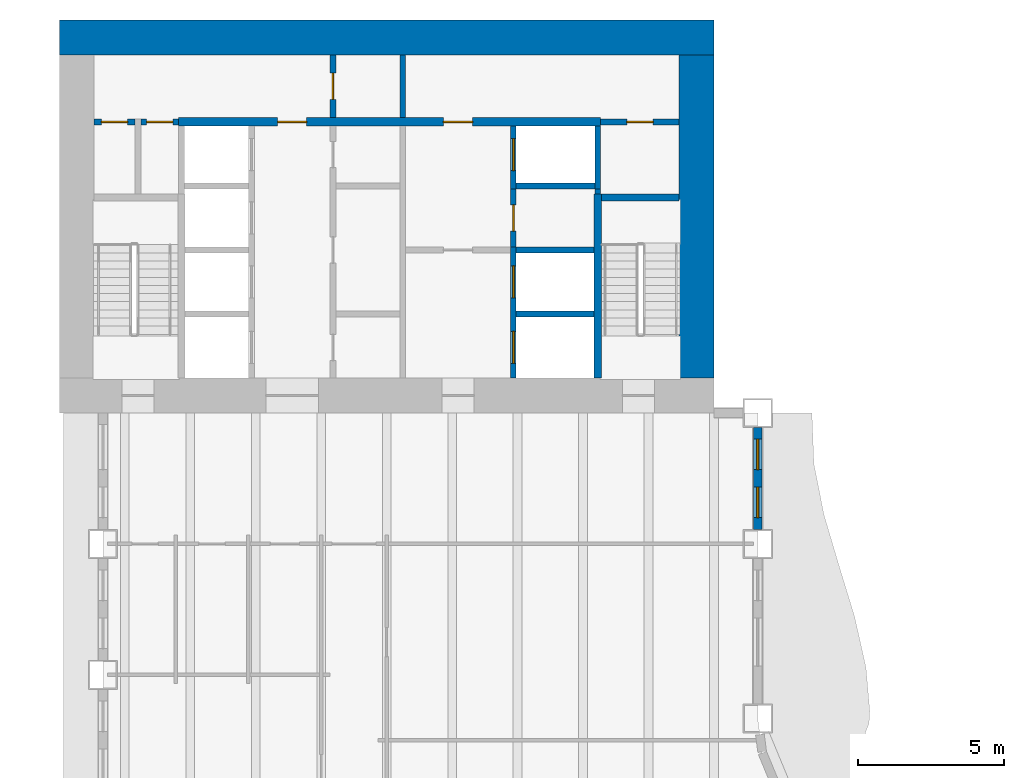
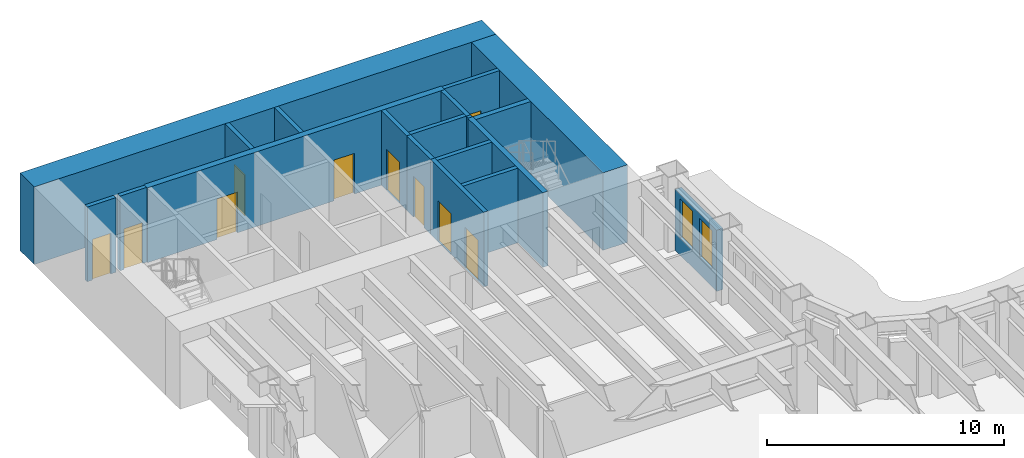
# One storey, part 9 of 16: 19 walls, 10 doors, 2 windows, 12 openings.
"""IFC4 building model written with IfcOpenShell, lengths in metres."""

from ifc_helpers import new_model, si_unit, direction, frame, frame_2d, origin, place, context, subcontext, project, spatial, rectangle, extrude, material, layer, layer_set, type_object, element, fill, save


model = new_model("IFC4")

# Units and contexts
model_context = context("Model", 3, precision=1e-05, world=origin(), true_north=direction((0.0, 1.0)))
body_context = subcontext(model_context, "Body", "Model", "MODEL_VIEW")
ifc_project = project(units=[si_unit("LENGTHUNIT", "METRE"), si_unit("AREAUNIT", "SQUARE_METRE"), si_unit("VOLUMEUNIT", "CUBIC_METRE"), si_unit("PLANEANGLEUNIT", "RADIAN"), si_unit("MASSUNIT", "GRAM", prefix="KILO")], contexts=[model_context])

# Site, building, storey
site_placement = place(None, origin())
site = spatial("IfcSite", under=ifc_project, at=site_placement, CompositionType="ELEMENT")
building_placement = place(site_placement, origin())
building = spatial("IfcBuilding", under=site, at=building_placement, Name="Sennacour Bend Tower", CompositionType="ELEMENT")
storey_placement = place(building_placement, frame((0.0, 0.0, 103.0)))
storey = spatial("IfcBuildingStorey", under=building, at=storey_placement, Name="L23", CompositionType="ELEMENT", Elevation=103.0)

# Walls
ifc_material_1 = material(Name="Concrete C80/95", Category="concrete")
ifc_layer_1 = layer(ifc_material_1, 1.199951171875, Name="Concrete C80/95", Category="concrete")
ifc_layer_set_1 = layer_set([ifc_layer_1], Name="Concrete C80/95")
wall_type_1 = type_object("IfcWallType", Name="Core wall 1200 C80/95", PredefinedType="SHEAR", material=ifc_layer_set_1)
wall_1_placement = place(storey_placement, frame((0.0, 48.89990234375, -0.14990234375), z_axis=(0.0, 0.0, 1.0), x_axis=(1.0, 0.0, 0.0)))
element("IfcWall", 1, at=wall_1_placement, inside=storey, type_object=wall_type_1, Name="Core B wall L23 N", PredefinedType="SHEAR", context=body_context, shape_type="SweptSolid", body=[
    extrude(rectangle(XDim=22.5, YDim=1.199951171875, at=frame_2d((11.25, 0.0))), origin(), (0.0, 0.0, 1.0), 4.0),
])
wall_2_placement = place(storey_placement, frame((21.89990234375, 37.199951171875, -0.14990234375), z_axis=(0.0, 0.0, 1.0), x_axis=(0.0, 1.0, 0.0)))
element("IfcWall", 2, at=wall_2_placement, inside=storey, type_object=wall_type_1, Name="Core B wall L23 E", PredefinedType="SHEAR", context=body_context, shape_type="SweptSolid", body=[
    extrude(rectangle(XDim=11.10009765625, YDim=1.199951171875, at=frame_2d((5.550048828125, 0.0))), origin(), (0.0, 0.0, 1.0), 4.0),
])

# Wall, opening, door
ifc_material_2 = material(Name="Fire-rated plasterboard partition on steel studs", Category="steel")
ifc_layer_2 = layer(ifc_material_2, 0.199951171875, Name="Fire-rated plasterboard partition on steel studs", Category="steel")
ifc_layer_set_2 = layer_set([ifc_layer_2], Name="Fire-rated plasterboard partition on steel studs")
wall_type_2 = type_object("IfcWallType", Name="Rated partition 200", PredefinedType="PARTITIONING", material=ifc_layer_set_2)
wall_3_placement = place(storey_placement, frame((9.39990234375, 46.14990234375, 0.0), z_axis=(0.0, 0.0, 1.0), x_axis=(0.0, 1.0, 0.0)))
wall_3 = element("IfcWall", 3, at=wall_3_placement, inside=storey, type_object=wall_type_2, Name="P-L23-W012b", PredefinedType="PARTITIONING", context=body_context, shape_type="SweptSolid", body=[
    extrude(rectangle(XDim=2.150146484375, YDim=0.199951171875, at=frame_2d((1.0751953125, 0.0))), origin(), (0.0, 0.0, 1.0), 3.85009765625),
])
opening_1_placement = place(wall_3_placement, frame((0.625, 0.0, 0.0)))
opening_1 = element("IfcOpeningElement", 4, at=opening_1_placement, cuts=wall_3, Name="Opening SV", PredefinedType="OPENING", context=body_context, shape_type="SweptSolid", body=[
    extrude(rectangle(XDim=0.89990234375, YDim=2.10009765625, at=frame_2d((0.449951171875, 1.050048828125))), frame((0.0, 0.10986328125, 0.0), z_axis=(0.0, -1.0, 0.0), x_axis=(1.0, 0.0, 0.0)), (0.0, 0.0, 1.0), 0.219970703125),
])
ifc_material_3 = material(Name="Painted steel", Category="steel")
door_type_1 = type_object("IfcDoorType", Name="DR-SERVICE-900", OperationType="NOTDEFINED", PredefinedType="DOOR", material=ifc_material_3)
door_1_placement = place(opening_1_placement, origin())
door_1 = element("IfcDoor", 5, at=door_1_placement, inside=storey, type_object=door_type_1, Name="Door", OperationType="SINGLE_SWING_LEFT", OverallHeight=2.10009765625, OverallWidth=0.89990234375, PredefinedType="DOOR", context=body_context, shape_type="SweptSolid", body=[
    extrude(rectangle(XDim=0.89990234375, YDim=2.10009765625, at=frame_2d((0.449951171875, 1.050048828125))), frame((0.0, 0.02490234375, 0.0), z_axis=(0.0, -1.0, 0.0), x_axis=(1.0, 0.0, 0.0)), (0.0, 0.0, 1.0), 0.050048828125),
])
fill(opening_1, door_1)

# Wall
wall_4_placement = place(storey_placement, frame((11.800048828125, 46.14990234375, 0.0), z_axis=(0.0, 0.0, 1.0), x_axis=(0.0, 1.0, 0.0)))
element("IfcWall", 6, at=wall_4_placement, inside=storey, type_object=wall_type_2, Name="P-L23-W014b", PredefinedType="PARTITIONING", context=body_context, shape_type="SweptSolid", body=[
    extrude(rectangle(XDim=2.150146484375, YDim=0.199951171875, at=frame_2d((1.0751953125, 0.0))), origin(), (0.0, 0.0, 1.0), 3.85009765625),
])

# Wall, opening, door
wall_5_placement = place(storey_placement, frame((15.60009765625, 41.699951171875, 0.0), z_axis=(0.0, 0.0, 1.0), x_axis=(0.0, 1.0, 0.0)))
wall_5 = element("IfcWall", 7, at=wall_5_placement, inside=storey, type_object=wall_type_2, Name="P-L23-W017", PredefinedType="PARTITIONING", context=body_context, shape_type="SweptSolid", body=[
    extrude(rectangle(XDim=2.0, YDim=0.199951171875, at=frame_2d((1.0, 0.0))), origin(), (0.0, 0.0, 1.0), 3.85009765625),
])
opening_2_placement = place(wall_5_placement, frame((0.550048828125, 0.0, 0.0)))
opening_2 = element("IfcOpeningElement", 8, at=opening_2_placement, cuts=wall_5, Name="Opening SV", PredefinedType="OPENING", context=body_context, shape_type="SweptSolid", body=[
    extrude(rectangle(XDim=0.89990234375, YDim=2.10009765625, at=frame_2d((0.449951171875, 1.050048828125))), frame((0.0, 0.10986328125, 0.0), z_axis=(0.0, -1.0, 0.0), x_axis=(1.0, 0.0, 0.0)), (0.0, 0.0, 1.0), 0.219970703125),
])
door_2_placement = place(opening_2_placement, origin())
door_2 = element("IfcDoor", 9, at=door_2_placement, inside=storey, type_object=door_type_1, Name="Door", OperationType="SINGLE_SWING_RIGHT", OverallHeight=2.10009765625, OverallWidth=0.89990234375, PredefinedType="DOOR", context=body_context, shape_type="SweptSolid", body=[
    extrude(rectangle(XDim=0.89990234375, YDim=2.10009765625, at=frame_2d((0.449951171875, 1.050048828125))), frame((0.0, 0.02490234375, 0.0), z_axis=(0.0, -1.0, 0.0), x_axis=(1.0, 0.0, 0.0)), (0.0, 0.0, 1.0), 0.050048828125),
])
fill(opening_2, door_2)

# Wall
wall_6_placement = place(storey_placement, frame((18.5, 43.52490234375, 0.0), z_axis=(0.0, 0.0, 1.0), x_axis=(0.0, 1.0, 0.0)))
element("IfcWall", 10, at=wall_6_placement, inside=storey, type_object=wall_type_2, Name="P-L23-W021", PredefinedType="PARTITIONING", context=body_context, shape_type="SweptSolid", body=[
    extrude(rectangle(XDim=0.175048828125, YDim=0.199951171875, at=frame_2d((0.08740234375, 0.0))), origin(), (0.0, 0.0, 1.0), 3.85009765625),
])

# Wall, opening, door
wall_7_placement = place(storey_placement, frame((1.199951171875, 46.0, 0.0), z_axis=(0.0, 0.0, 1.0), x_axis=(1.0, 0.0, 0.0)))
wall_7 = element("IfcWall", 11, at=wall_7_placement, inside=storey, type_object=wall_type_2, Name="P-L23-W089a", PredefinedType="PARTITIONING", context=body_context, shape_type="SweptSolid", body=[
    extrude(rectangle(XDim=1.400146484375, YDim=0.199951171875, at=frame_2d((0.7001953125, 0.0))), origin(), (0.0, 0.0, 1.0), 3.85009765625),
])
opening_3_placement = place(wall_7_placement, frame((0.25, 0.0, 0.0)))
opening_3 = element("IfcOpeningElement", 12, at=opening_3_placement, cuts=wall_7, Name="Opening SV", PredefinedType="OPENING", context=body_context, shape_type="SweptSolid", body=[
    extrude(rectangle(XDim=0.89990234375, YDim=2.10009765625, at=frame_2d((0.449951171875, 1.050048828125))), frame((0.0, 0.10986328125, 0.0), z_axis=(0.0, -1.0, 0.0), x_axis=(1.0, 0.0, 0.0)), (0.0, 0.0, 1.0), 0.219970703125),
])
door_3_placement = place(opening_3_placement, origin())
door_3 = element("IfcDoor", 13, at=door_3_placement, inside=storey, type_object=door_type_1, Name="Door", OperationType="SINGLE_SWING_LEFT", OverallHeight=2.10009765625, OverallWidth=0.89990234375, PredefinedType="DOOR", context=body_context, shape_type="SweptSolid", body=[
    extrude(rectangle(XDim=0.89990234375, YDim=2.10009765625, at=frame_2d((0.449951171875, 1.050048828125))), frame((0.0, 0.02490234375, 0.0), z_axis=(0.0, -1.0, 0.0), x_axis=(1.0, 0.0, 0.0)), (0.0, 0.0, 1.0), 0.050048828125),
])
fill(opening_3, door_3)

wall_8_placement = place(storey_placement, frame((2.800048828125, 46.0, 0.0), z_axis=(0.0, 0.0, 1.0), x_axis=(1.0, 0.0, 0.0)))
wall_8 = element("IfcWall", 14, at=wall_8_placement, inside=storey, type_object=wall_type_2, Name="P-L23-W089b", PredefinedType="PARTITIONING", context=body_context, shape_type="SweptSolid", body=[
    extrude(rectangle(XDim=1.300048828125, YDim=0.199951171875, at=frame_2d((0.64990234375, 0.0))), origin(), (0.0, 0.0, 1.0), 3.85009765625),
])
opening_4_placement = place(wall_8_placement, frame((0.199951171875, 0.0, 0.0)))
opening_4 = element("IfcOpeningElement", 15, at=opening_4_placement, cuts=wall_8, Name="Opening SV", PredefinedType="OPENING", context=body_context, shape_type="SweptSolid", body=[
    extrude(rectangle(XDim=0.89990234375, YDim=2.10009765625, at=frame_2d((0.449951171875, 1.050048828125))), frame((0.0, 0.10986328125, 0.0), z_axis=(0.0, -1.0, 0.0), x_axis=(1.0, 0.0, 0.0)), (0.0, 0.0, 1.0), 0.219970703125),
])
door_4_placement = place(opening_4_placement, origin())
door_4 = element("IfcDoor", 16, at=door_4_placement, inside=storey, type_object=door_type_1, Name="Door", OperationType="SINGLE_SWING_LEFT", OverallHeight=2.10009765625, OverallWidth=0.89990234375, PredefinedType="DOOR", context=body_context, shape_type="SweptSolid", body=[
    extrude(rectangle(XDim=0.89990234375, YDim=2.10009765625, at=frame_2d((0.449951171875, 1.050048828125))), frame((0.0, 0.02490234375, 0.0), z_axis=(0.0, -1.0, 0.0), x_axis=(1.0, 0.0, 0.0)), (0.0, 0.0, 1.0), 0.050048828125),
])
fill(opening_4, door_4)

wall_9_placement = place(storey_placement, frame((18.60009765625, 46.0, 0.0), z_axis=(0.0, 0.0, 1.0), x_axis=(1.0, 0.0, 0.0)))
wall_9 = element("IfcWall", 17, at=wall_9_placement, inside=storey, type_object=wall_type_2, Name="P-L23-W091", PredefinedType="PARTITIONING", context=body_context, shape_type="SweptSolid", body=[
    extrude(rectangle(XDim=2.699951171875, YDim=0.199951171875, at=frame_2d((1.35009765625, 0.0))), origin(), (0.0, 0.0, 1.0), 3.85009765625),
])
opening_5_placement = place(wall_9_placement, frame((0.89990234375, 0.0, 0.0)))
opening_5 = element("IfcOpeningElement", 18, at=opening_5_placement, cuts=wall_9, Name="Opening WD", PredefinedType="OPENING", context=body_context, shape_type="SweptSolid", body=[
    extrude(rectangle(XDim=0.89990234375, YDim=2.10009765625, at=frame_2d((0.449951171875, 1.050048828125))), frame((0.0, 0.10986328125, 0.0), z_axis=(0.0, -1.0, 0.0), x_axis=(1.0, 0.0, 0.0)), (0.0, 0.0, 1.0), 0.219970703125),
])
ifc_material_4 = material(Name="Timber", Category="wood")
door_type_2 = type_object("IfcDoorType", Name="DR-WC-900", OperationType="NOTDEFINED", PredefinedType="DOOR", material=ifc_material_4)
door_5_placement = place(opening_5_placement, origin())
door_5 = element("IfcDoor", 19, at=door_5_placement, inside=storey, type_object=door_type_2, Name="Door", OperationType="SINGLE_SWING_LEFT", OverallHeight=2.10009765625, OverallWidth=0.89990234375, PredefinedType="DOOR", context=body_context, shape_type="SweptSolid", body=[
    extrude(rectangle(XDim=0.89990234375, YDim=2.10009765625, at=frame_2d((0.449951171875, 1.050048828125))), frame((0.0, 0.02490234375, 0.0), z_axis=(0.0, -1.0, 0.0), x_axis=(1.0, 0.0, 0.0)), (0.0, 0.0, 1.0), 0.050048828125),
])
fill(opening_5, door_5)

# Wall, openings, windows
ifc_material_5 = material(Name="Warm limestone cladding", Category="masonry")
ifc_layer_3 = layer(ifc_material_5, 0.050048828125, Name="Warm limestone cladding", Category="masonry")
ifc_material_6 = material(Name="Precast concrete C40/50", Category="concrete")
ifc_layer_4 = layer(ifc_material_6, 0.25, Name="Precast concrete C40/50", Category="concrete")
ifc_layer_set_3 = layer_set([ifc_layer_3, ifc_layer_4], Name="Precast concrete C40/50 with limestone cladding")
wall_type_3 = type_object("IfcWallType", Name="STONE-CLAD PRECAST SPANDREL 300", PredefinedType="STANDARD", material=ifc_layer_set_3)
wall_10_placement = place(storey_placement, frame((24.0, 32.0, 0.0), z_axis=(0.0, 0.0, 1.0), x_axis=(0.0, 1.0, 0.0)))
wall_10 = element("IfcWall", 20, at=wall_10_placement, inside=storey, type_object=wall_type_3, Name="Stone spandrel and pier wall L23 13.01", PredefinedType="STANDARD", context=body_context, shape_type="SweptSolid", body=[
    extrude(rectangle(XDim=3.5, YDim=0.300048828125, at=frame_2d((1.75, 0.0))), origin(), (0.0, 0.0, 1.0), 3.154052734375),
])
opening_6_placement = place(wall_10_placement, frame((0.39990234375, 0.0, 0.89990234375)))
opening_6 = element("IfcOpeningElement", 21, at=opening_6_placement, cuts=wall_10, Name="Opening W13", PredefinedType="OPENING", context=body_context, shape_type="SweptSolid", body=[
    extrude(rectangle(XDim=1.050048828125, YDim=2.0, at=frame_2d((0.52490234375, 1.0))), frame((0.0, 0.16015625, 0.0), z_axis=(0.0, -1.0, 0.0), x_axis=(1.0, 0.0, 0.0)), (0.0, 0.0, 1.0), 0.320068359375),
])
opening_7_placement = place(wall_10_placement, frame((2.050048828125, 0.0, 0.89990234375)))
opening_7 = element("IfcOpeningElement", 22, at=opening_7_placement, cuts=wall_10, Name="Opening W13", PredefinedType="OPENING", context=body_context, shape_type="SweptSolid", body=[
    extrude(rectangle(XDim=1.050048828125, YDim=2.0, at=frame_2d((0.52490234375, 1.0))), frame((0.0, 0.16015625, 0.0), z_axis=(0.0, -1.0, 0.0), x_axis=(1.0, 0.0, 0.0)), (0.0, 0.0, 1.0), 0.320068359375),
])
ifc_material_7 = material(Name="Clear low-emissivity glass", Category="glass")
window_type = type_object("IfcWindowType", Name="WIN-RIBBON-1050x2000", PartitioningType="SINGLE_PANEL", PredefinedType="WINDOW", material=ifc_material_7)
window_1_placement = place(opening_6_placement, origin())
window_1 = element("IfcWindow", 23, at=window_1_placement, inside=storey, type_object=window_type, Name="Ribbon window L23 13.01.0", OverallHeight=2.0, OverallWidth=1.050048828125, PartitioningType="SINGLE_PANEL", PredefinedType="WINDOW", context=body_context, shape_type="SweptSolid", body=[
    extrude(rectangle(XDim=1.050048828125, YDim=2.0, at=frame_2d((0.52490234375, 1.0))), frame((0.0, 0.030029296875, 0.0), z_axis=(0.0, -1.0, 0.0), x_axis=(1.0, 0.0, 0.0)), (0.0, 0.0, 1.0), 0.06005859375),
])
fill(opening_6, window_1)
window_2_placement = place(opening_7_placement, origin())
window_2 = element("IfcWindow", 24, at=window_2_placement, inside=storey, type_object=window_type, Name="Ribbon window L23 13.01.1", OverallHeight=2.0, OverallWidth=1.050048828125, PartitioningType="SINGLE_PANEL", PredefinedType="WINDOW", context=body_context, shape_type="SweptSolid", body=[
    extrude(rectangle(XDim=1.050048828125, YDim=2.0, at=frame_2d((0.52490234375, 1.0))), frame((0.0, 0.030029296875, 0.0), z_axis=(0.0, -1.0, 0.0), x_axis=(1.0, 0.0, 0.0)), (0.0, 0.0, 1.0), 0.06005859375),
])
fill(opening_7, window_2)

# Wall, openings, doors
ifc_material_8 = material(Name="Concrete C50/60", Category="concrete")
ifc_layer_5 = layer(ifc_material_8, 0.199951171875, Name="Concrete C50/60", Category="concrete")
ifc_layer_set_4 = layer_set([ifc_layer_5], Name="Concrete C50/60")
wall_type_4 = type_object("IfcWallType", Name="Shaft wall 200", PredefinedType="SOLIDWALL", material=ifc_layer_set_4)
wall_11_placement = place(storey_placement, frame((15.60009765625, 37.199951171875, 0.0), z_axis=(0.0, 0.0, 1.0), x_axis=(0.0, 1.0, 0.0)))
wall_11 = element("IfcWall", 25, at=wall_11_placement, inside=storey, type_object=wall_type_4, Name="P-L23-W016", PredefinedType="SOLIDWALL", context=body_context, shape_type="SweptSolid", body=[
    extrude(rectangle(XDim=4.5, YDim=0.199951171875, at=frame_2d((2.25, 0.0))), origin(), (0.0, 0.0, 1.0), 3.85009765625),
])
opening_8_placement = place(wall_11_placement, frame((0.5, 0.0, 0.011962890625)))
opening_8 = element("IfcOpeningElement", 26, at=opening_8_placement, cuts=wall_11, Name="Opening FLD", PredefinedType="OPENING", context=body_context, shape_type="SweptSolid", body=[
    extrude(rectangle(XDim=1.10009765625, YDim=2.10009765625, at=frame_2d((0.550048828125, 1.050048828125))), frame((0.0, 0.10986328125, 0.0), z_axis=(0.0, -1.0, 0.0), x_axis=(1.0, 0.0, 0.0)), (0.0, 0.0, 1.0), 0.219970703125),
])
opening_9_placement = place(wall_11_placement, frame((2.75, 0.0, 0.011962890625)))
opening_9 = element("IfcOpeningElement", 27, at=opening_9_placement, cuts=wall_11, Name="Opening FLD", PredefinedType="OPENING", context=body_context, shape_type="SweptSolid", body=[
    extrude(rectangle(XDim=1.10009765625, YDim=2.10009765625, at=frame_2d((0.550048828125, 1.050048828125))), frame((0.0, 0.10986328125, 0.0), z_axis=(0.0, -1.0, 0.0), x_axis=(1.0, 0.0, 0.0)), (0.0, 0.0, 1.0), 0.219970703125),
])
ifc_material_9 = material(Name="Stainless steel", Category="steel")
door_type_3 = type_object("IfcDoorType", Name="DR-FF-LANDING-1100", OperationType="NOTDEFINED", PredefinedType="DOOR", material=ifc_material_9)
door_6_placement = place(opening_8_placement, origin())
door_6 = element("IfcDoor", 28, at=door_6_placement, inside=storey, type_object=door_type_3, Name="Fire service lift landing door FB1", OperationType="SLIDING_TO_LEFT", OverallHeight=2.10009765625, OverallWidth=1.10009765625, PredefinedType="DOOR", context=body_context, shape_type="SweptSolid", body=[
    extrude(rectangle(XDim=1.10009765625, YDim=2.10009765625, at=frame_2d((0.550048828125, 1.050048828125))), frame((0.0, 0.02490234375, 0.0), z_axis=(0.0, -1.0, 0.0), x_axis=(1.0, 0.0, 0.0)), (0.0, 0.0, 1.0), 0.050048828125),
])
fill(opening_8, door_6)
door_7_placement = place(opening_9_placement, origin())
door_7 = element("IfcDoor", 29, at=door_7_placement, inside=storey, type_object=door_type_3, Name="Fire service lift landing door FB2", OperationType="SLIDING_TO_RIGHT", OverallHeight=2.10009765625, OverallWidth=1.10009765625, PredefinedType="DOOR", context=body_context, shape_type="SweptSolid", body=[
    extrude(rectangle(XDim=1.10009765625, YDim=2.10009765625, at=frame_2d((0.550048828125, 1.050048828125))), frame((0.0, 0.02490234375, 0.0), z_axis=(0.0, -1.0, 0.0), x_axis=(1.0, 0.0, 0.0)), (0.0, 0.0, 1.0), 0.050048828125),
])
fill(opening_9, door_7)

# Wall, opening, door
wall_12_placement = place(storey_placement, frame((15.60009765625, 43.699951171875, 0.0), z_axis=(0.0, 0.0, 1.0), x_axis=(0.0, 1.0, 0.0)))
wall_12 = element("IfcWall", 30, at=wall_12_placement, inside=storey, type_object=wall_type_4, Name="P-L23-W018", PredefinedType="SOLIDWALL", context=body_context, shape_type="SweptSolid", body=[
    extrude(rectangle(XDim=2.150146484375, YDim=0.199951171875, at=frame_2d((1.0751953125, 0.0))), origin(), (0.0, 0.0, 1.0), 3.85009765625),
])
opening_10_placement = place(wall_12_placement, frame((0.625, 0.0, 0.011962890625)))
opening_10 = element("IfcOpeningElement", 31, at=opening_10_placement, cuts=wall_12, Name="Opening LD", PredefinedType="OPENING", context=body_context, shape_type="SweptSolid", body=[
    extrude(rectangle(XDim=1.10009765625, YDim=2.10009765625, at=frame_2d((0.550048828125, 1.050048828125))), frame((0.0, 0.10986328125, 0.0), z_axis=(0.0, -1.0, 0.0), x_axis=(1.0, 0.0, 0.0)), (0.0, 0.0, 1.0), 0.219970703125),
])
door_type_4 = type_object("IfcDoorType", Name="DR-LANDING-1100", OperationType="NOTDEFINED", PredefinedType="DOOR", material=ifc_material_9)
door_8_placement = place(opening_10_placement, origin())
door_8 = element("IfcDoor", 32, at=door_8_placement, inside=storey, type_object=door_type_4, Name="Lift landing door LB5", OperationType="SLIDING_TO_LEFT", OverallHeight=2.10009765625, OverallWidth=1.10009765625, PredefinedType="DOOR", context=body_context, shape_type="SweptSolid", body=[
    extrude(rectangle(XDim=1.10009765625, YDim=2.10009765625, at=frame_2d((0.550048828125, 1.050048828125))), frame((0.0, 0.02490234375, 0.0), z_axis=(0.0, -1.0, 0.0), x_axis=(1.0, 0.0, 0.0)), (0.0, 0.0, 1.0), 0.050048828125),
])
fill(opening_10, door_8)

# Walls
wall_13_placement = place(storey_placement, frame((18.5, 43.699951171875, 0.0), z_axis=(0.0, 0.0, 1.0), x_axis=(0.0, 1.0, 0.0)))
element("IfcWall", 33, at=wall_13_placement, inside=storey, type_object=wall_type_4, Name="P-L23-W022", PredefinedType="SOLIDWALL", context=body_context, shape_type="SweptSolid", body=[
    extrude(rectangle(XDim=2.150146484375, YDim=0.199951171875, at=frame_2d((1.0751953125, 0.0))), origin(), (0.0, 0.0, 1.0), 3.85009765625),
])
for number, where, z_axis, x_axis, name in (
    (34, (15.699951171875, 39.39990234375, 0.0), (0.0, 0.0, 1.0), (1.0, 0.0, 0.0), "P-L23-W080"),
    (35, (15.699951171875, 41.60009765625, 0.0), (0.0, 0.0, 1.0), (1.0, 0.0, 0.0), "P-L23-W083"),
):
    element("IfcWall", number, at=place(storey_placement, frame(where, z_axis=z_axis, x_axis=x_axis)), inside=storey, type_object=wall_type_4, Name=name, PredefinedType="SOLIDWALL", context=body_context, shape_type="SweptSolid", body=[
        extrude(rectangle(XDim=2.675048828125, YDim=0.199951171875, at=frame_2d((1.33740234375, 0.0))), origin(), (0.0, 0.0, 1.0), 3.85009765625),
    ])
wall_14_placement = place(storey_placement, frame((15.699951171875, 43.800048828125, 0.0), z_axis=(0.0, 0.0, 1.0), x_axis=(1.0, 0.0, 0.0)))
element("IfcWall", 36, at=wall_14_placement, inside=storey, type_object=wall_type_4, Name="P-L23-W088", PredefinedType="SOLIDWALL", context=body_context, shape_type="SweptSolid", body=[
    extrude(rectangle(XDim=2.699951171875, YDim=0.199951171875, at=frame_2d((1.35009765625, 0.0))), origin(), (0.0, 0.0, 1.0), 3.85009765625),
])

# Wall, openings, doors
ifc_material_10 = material(Name="Concrete C60/75", Category="concrete")
ifc_layer_6 = layer(ifc_material_10, 0.300048828125, Name="Concrete C60/75", Category="concrete")
ifc_layer_set_5 = layer_set([ifc_layer_6], Name="Concrete C60/75")
wall_type_5 = type_object("IfcWallType", Name="Spine wall 300", PredefinedType="SHEAR", material=ifc_layer_set_5)
wall_15_placement = place(storey_placement, frame((4.10009765625, 46.0, 0.0), z_axis=(0.0, 0.0, 1.0), x_axis=(1.0, 0.0, 0.0)))
wall_15 = element("IfcWall", 37, at=wall_15_placement, inside=storey, type_object=wall_type_5, Name="P-L23-W090", PredefinedType="SHEAR", context=body_context, shape_type="SweptSolid", body=[
    extrude(rectangle(XDim=14.5, YDim=0.300048828125, at=frame_2d((7.25, 0.0))), origin(), (0.0, 0.0, 1.0), 3.85009765625),
])
opening_11_placement = place(wall_15_placement, frame((3.39990234375, 0.0, 0.0)))
opening_11 = element("IfcOpeningElement", 38, at=opening_11_placement, cuts=wall_15, Name="Opening CD2", PredefinedType="OPENING", context=body_context, shape_type="SweptSolid", body=[
    extrude(rectangle(XDim=1.0, YDim=2.10009765625, at=frame_2d((0.5, 1.050048828125))), frame((0.0, 0.16015625, 0.0), z_axis=(0.0, -1.0, 0.0), x_axis=(1.0, 0.0, 0.0)), (0.0, 0.0, 1.0), 0.320068359375),
])
opening_12_placement = place(wall_15_placement, frame((9.099853515625, 0.0, 0.0)))
opening_12 = element("IfcOpeningElement", 39, at=opening_12_placement, cuts=wall_15, Name="Opening CD2", PredefinedType="OPENING", context=body_context, shape_type="SweptSolid", body=[
    extrude(rectangle(XDim=1.0, YDim=2.10009765625, at=frame_2d((0.5, 1.050048828125))), frame((0.0, 0.16015625, 0.0), z_axis=(0.0, -1.0, 0.0), x_axis=(1.0, 0.0, 0.0)), (0.0, 0.0, 1.0), 0.320068359375),
])
door_type_5 = type_object("IfcDoorType", Name="DR-LOBBY-1000", OperationType="NOTDEFINED", PredefinedType="DOOR", material=ifc_material_3)
door_9_placement = place(opening_11_placement, origin())
door_9 = element("IfcDoor", 40, at=door_9_placement, inside=storey, type_object=door_type_5, Name="Door", OperationType="SINGLE_SWING_LEFT", OverallHeight=2.10009765625, OverallWidth=1.0, PredefinedType="DOOR", context=body_context, shape_type="SweptSolid", body=[
    extrude(rectangle(XDim=1.0, YDim=2.10009765625, at=frame_2d((0.5, 1.050048828125))), frame((0.0, 0.02490234375, 0.0), z_axis=(0.0, -1.0, 0.0), x_axis=(1.0, 0.0, 0.0)), (0.0, 0.0, 1.0), 0.050048828125),
])
fill(opening_11, door_9)
door_10_placement = place(opening_12_placement, origin())
door_10 = element("IfcDoor", 41, at=door_10_placement, inside=storey, type_object=door_type_5, Name="Door", OperationType="SINGLE_SWING_RIGHT", OverallHeight=2.10009765625, OverallWidth=1.0, PredefinedType="DOOR", context=body_context, shape_type="SweptSolid", body=[
    extrude(rectangle(XDim=1.0, YDim=2.10009765625, at=frame_2d((0.5, 1.050048828125))), frame((0.0, 0.02490234375, 0.0), z_axis=(0.0, -1.0, 0.0), x_axis=(1.0, 0.0, 0.0)), (0.0, 0.0, 1.0), 0.050048828125),
])
fill(opening_12, door_10)

# Walls
ifc_layer_7 = layer(ifc_material_10, 0.25, Name="Concrete C60/75", Category="concrete")
ifc_layer_set_6 = layer_set([ifc_layer_7], Name="Concrete C60/75")
wall_type_6 = type_object("IfcWallType", Name="Stair wall 250", PredefinedType="SHEAR", material=ifc_layer_set_6)
wall_16_placement = place(storey_placement, frame((18.5, 37.199951171875, 0.0), z_axis=(0.0, 0.0, 1.0), x_axis=(0.0, 1.0, 0.0)))
element("IfcWall", 42, at=wall_16_placement, inside=storey, type_object=wall_type_6, Name="P-L23-W020", PredefinedType="SHEAR", context=body_context, shape_type="SweptSolid", body=[
    extrude(rectangle(XDim=6.324951171875, YDim=0.25, at=frame_2d((3.16259765625, 0.0))), origin(), (0.0, 0.0, 1.0), 3.85009765625),
])
wall_17_placement = place(storey_placement, frame((18.625, 43.39990234375, 0.0), z_axis=(0.0, 0.0, 1.0), x_axis=(1.0, 0.0, 0.0)))
element("IfcWall", 43, at=wall_17_placement, inside=storey, type_object=wall_type_6, Name="P-L23-W085", PredefinedType="SHEAR", context=body_context, shape_type="SweptSolid", body=[
    extrude(rectangle(XDim=2.675048828125, YDim=0.25, at=frame_2d((1.33740234375, 0.0))), origin(), (0.0, 0.0, 1.0), 3.85009765625),
])

save(model, "model.ifc")
